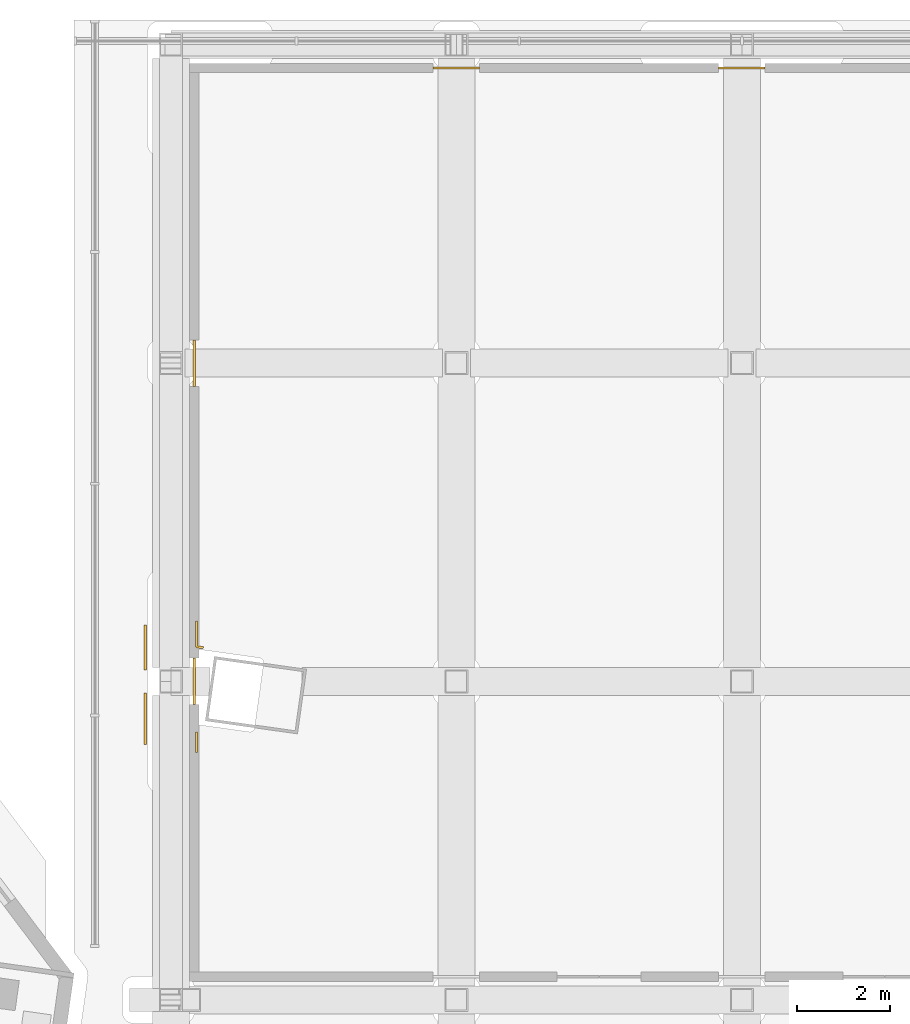
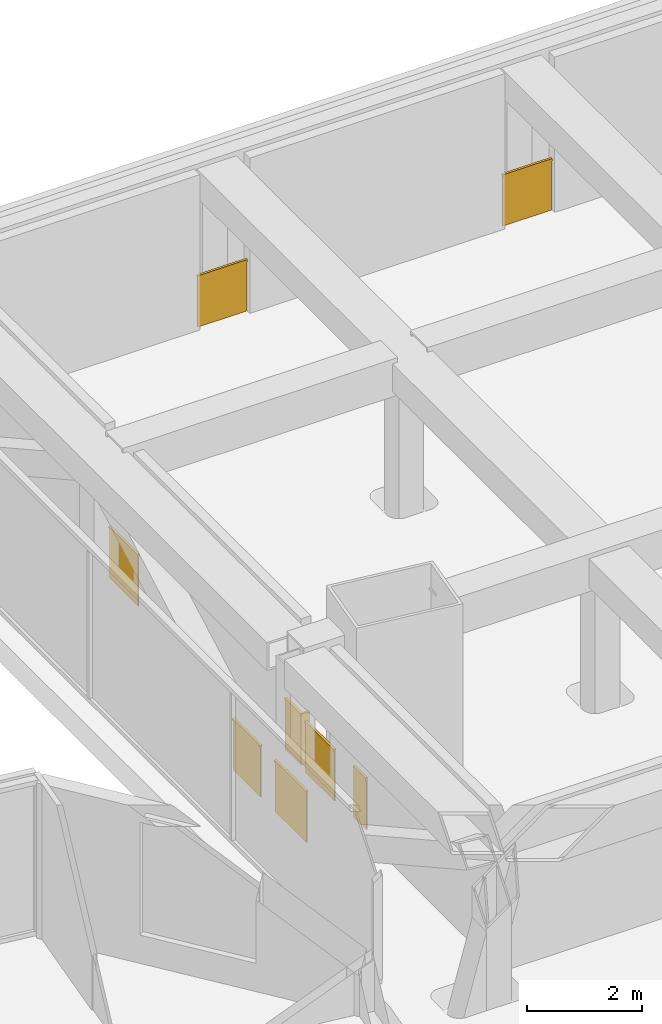
# One storey, part 27 of 30: 8 railings.
"""IFC4 building model written with IfcOpenShell, lengths in metres."""

from ifc_helpers import new_model, si_unit, direction, frame, origin, origin_2d, place, context, subcontext, project, spatial, rectangle, extrude, material, type_object, element, save


model = new_model("IFC4")

# Units and contexts
model_context = context("Model", 3, precision=1e-05, world=origin(), true_north=direction((0.0, 1.0)))
body_context = subcontext(model_context, "Body", "Model", "MODEL_VIEW")
ifc_project = project(units=[si_unit("LENGTHUNIT", "METRE"), si_unit("AREAUNIT", "SQUARE_METRE"), si_unit("VOLUMEUNIT", "CUBIC_METRE"), si_unit("PLANEANGLEUNIT", "RADIAN"), si_unit("MASSUNIT", "GRAM", prefix="KILO")], contexts=[model_context])

# Site, building, storey
site_placement = place(None, origin())
site = spatial("IfcSite", under=ifc_project, at=site_placement, CompositionType="ELEMENT")
building_placement = place(site_placement, origin())
building = spatial("IfcBuilding", under=site, at=building_placement, Name="Mirante Cascada Hotel Towers", CompositionType="ELEMENT")
storey_placement = place(building_placement, frame((0.0, 0.0, 258.4)))
storey = spatial("IfcBuildingStorey", under=building, at=storey_placement, Name="L62", CompositionType="ELEMENT", Elevation=258.4)

# Railings
ifc_material_1 = material(Name="Toughened glass", Category="glass")
railing_type_1 = type_object("IfcRailingType", Name="Deck column opening guard 1100 glass balustrade", PredefinedType="GUARDRAIL", material=ifc_material_1)
railing_1_placement = place(storey_placement, frame((-12.8014, 16.4975, 0.0)))
element("IfcRailing", 1, at=railing_1_placement, inside=storey, type_object=railing_type_1, Name="Column opening guard L62 1", PredefinedType="GUARDRAIL", context=body_context, shape_type="SweptSolid", body=[
    extrude(rectangle(XDim=0.048, YDim=0.048, at=origin_2d()), frame((0.0, 0.0, 1.076), z_axis=(0.0, -1.0, 0.0), x_axis=(1.0, 0.0, 0.0)), (0.0, 0.0, 1.0), 1.1008),
    extrude(rectangle(XDim=0.02, YDim=1.052, at=origin_2d()), frame((0.0, 0.0, 0.526), z_axis=(0.0, -1.0, 0.0), x_axis=(1.0, 0.0, 0.0)), (0.0, 0.0, 1.0), 1.1008),
])
railing_2_placement = place(storey_placement, frame((-12.8014, 17.9614, 0.0)))
element("IfcRailing", 2, at=railing_2_placement, inside=storey, type_object=railing_type_1, Name="Column opening guard L62 2", PredefinedType="GUARDRAIL", context=body_context, shape_type="SweptSolid", body=[
    extrude(rectangle(XDim=0.048, YDim=0.048, at=origin_2d()), frame((0.0, 0.0, 1.076), z_axis=(0.0, -1.0, 0.0), x_axis=(1.0, 0.0, 0.0)), (0.0, 0.0, 1.0), 0.9639),
    extrude(rectangle(XDim=0.02, YDim=1.052, at=origin_2d()), frame((0.0, 0.0, 0.526), z_axis=(0.0, -1.0, 0.0), x_axis=(1.0, 0.0, 0.0)), (0.0, 0.0, 1.0), 0.9639),
])
railing_3_placement = place(storey_placement, frame((-11.7014, 15.2209, 0.0)))
element("IfcRailing", 3, at=railing_3_placement, inside=storey, type_object=railing_type_1, Name="Column opening guard L62 3", PredefinedType="GUARDRAIL", context=body_context, shape_type="SweptSolid", body=[
    extrude(rectangle(XDim=0.048, YDim=0.048, at=origin_2d()), frame((0.0, 0.0, 1.076), z_axis=(0.0, 1.0, 0.0), x_axis=(-1.0, 0.0, 0.0)), (0.0, 0.0, 1.0), 0.4449),
    extrude(rectangle(XDim=0.02, YDim=1.052, at=origin_2d()), frame((0.0, 0.0, 0.526), z_axis=(0.0, 1.0, 0.0), x_axis=(-1.0, 0.0, 0.0)), (0.0, 0.0, 1.0), 0.4449),
])
railing_4_placement = place(storey_placement, frame((-11.5579, 17.4729, 0.0)))
element("IfcRailing", 4, at=railing_4_placement, inside=storey, type_object=railing_type_1, Name="Column opening guard L62 4", PredefinedType="GUARDRAIL", context=body_context, shape_type="SweptSolid", body=[
    extrude(rectangle(XDim=0.048, YDim=0.048, at=origin_2d()), frame((0.0, 0.0, 1.076), z_axis=(-0.9903323, 0.1387155, 0.0), x_axis=(-0.1387155, -0.9903323, 0.0)), (0.0, 0.0, 1.0), 0.1449),
    extrude(rectangle(XDim=0.02, YDim=1.052, at=origin_2d()), frame((0.0, 0.0, 0.526), z_axis=(-0.9903323, 0.1387155, 0.0), x_axis=(-0.1387155, -0.9903323, 0.0)), (0.0, 0.0, 1.0), 0.1449),
    extrude(rectangle(XDim=0.048, YDim=0.048, at=origin_2d()), frame((-0.1435, 0.0201, 1.076), z_axis=(0.0, 1.0, 0.0), x_axis=(-1.0, 0.0, 0.0)), (0.0, 0.0, 1.0), 0.5554),
    extrude(rectangle(XDim=0.02, YDim=1.052, at=origin_2d()), frame((-0.1435, 0.0201, 0.526), z_axis=(0.0, 1.0, 0.0), x_axis=(-1.0, 0.0, 0.0)), (0.0, 0.0, 1.0), 0.5554),
])
ifc_material_2 = material(Name="Toughened glass", Category="glass")
railing_type_2 = type_object("IfcRailingType", Name="Truss bay glazed screen 1100", PredefinedType="GUARDRAIL", material=ifc_material_2)
for number, where, name in (
    (5, (-6.63, 29.91, 0.0), "Truss bay glazed screen L62 4"),
    (6, (-0.5, 29.91, 0.0), "Truss bay glazed screen L62 5"),
):
    element("IfcRailing", number, at=place(storey_placement, frame(where)), inside=storey, type_object=railing_type_2, Name=name, PredefinedType="GUARDRAIL", context=body_context, shape_type="SweptSolid", body=[
        extrude(rectangle(XDim=0.048, YDim=0.048, at=origin_2d()), frame((0.0, 0.0, 1.076), z_axis=(1.0, 0.0, 0.0), x_axis=(0.0, 1.0, 0.0)), (0.0, 0.0, 1.0), 1.0),
        extrude(rectangle(XDim=0.02, YDim=1.052, at=origin_2d()), frame((0.0, 0.0, 0.526), z_axis=(1.0, 0.0, 0.0), x_axis=(0.0, 1.0, 0.0)), (0.0, 0.0, 1.0), 1.0),
    ])
for number, where, name in (
    (7, (-11.75, 16.25, 0.0), "Truss bay glazed screen L62 7"),
    (8, (-11.75, 23.08, 0.0), "Truss bay glazed screen L62 8"),
):
    element("IfcRailing", number, at=place(storey_placement, frame(where)), inside=storey, type_object=railing_type_2, Name=name, PredefinedType="GUARDRAIL", context=body_context, shape_type="SweptSolid", body=[
        extrude(rectangle(XDim=0.048, YDim=0.048, at=origin_2d()), frame((0.0, 0.0, 1.076), z_axis=(0.0, 1.0, 0.0), x_axis=(-1.0, 0.0, 0.0)), (0.0, 0.0, 1.0), 1.0),
        extrude(rectangle(XDim=0.02, YDim=1.052, at=origin_2d()), frame((0.0, 0.0, 0.526), z_axis=(0.0, 1.0, 0.0), x_axis=(-1.0, 0.0, 0.0)), (0.0, 0.0, 1.0), 1.0),
    ])

save(model, "model.ifc")
